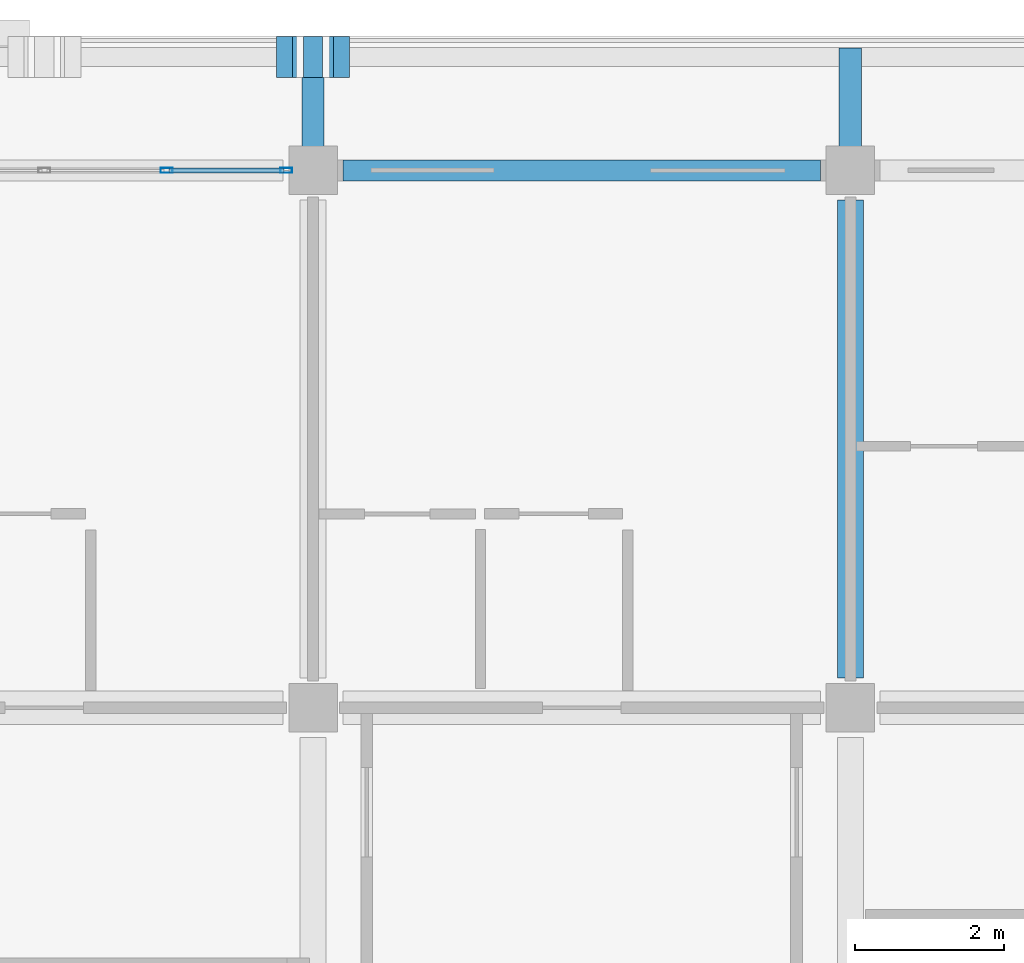
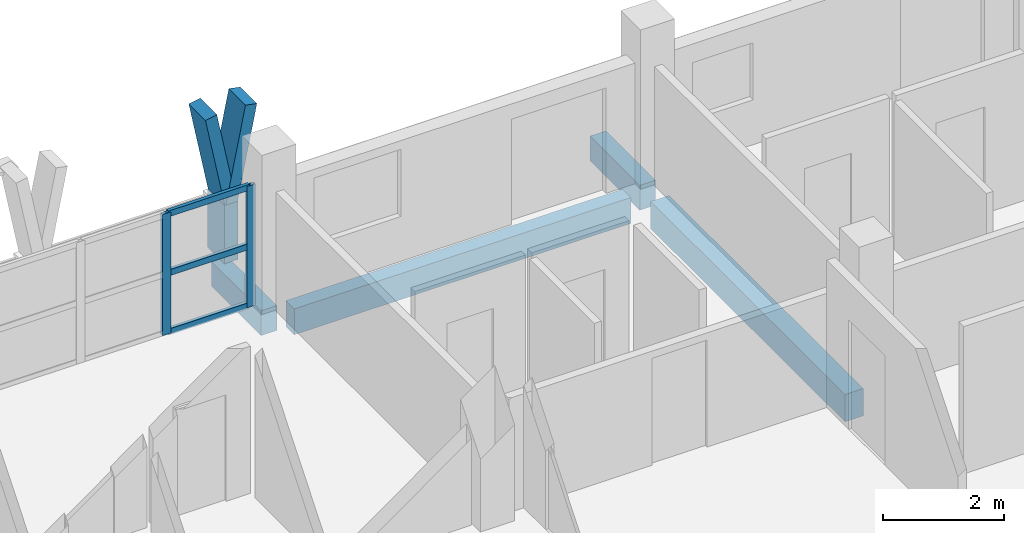
# One storey, part 73 of 157: 8 members, 4 beams, 1 element without a shape of its own.
"""IFC4 building model written with IfcOpenShell, lengths in metres."""

from ifc_helpers import new_model, si_unit, direction, frame, origin, origin_2d, place, context, subcontext, project, spatial, rectangle, hollow_rectangle, extrude, material, material_profile, profile_set, type_object, element, aggregate, save


model = new_model("IFC4")

# Units and contexts
model_context = context("Model", 3, precision=1e-05, world=origin(), true_north=direction((0.0, 1.0)))
body_context = subcontext(model_context, "Body", "Model", "MODEL_VIEW")
ifc_project = project(units=[si_unit("LENGTHUNIT", "METRE"), si_unit("AREAUNIT", "SQUARE_METRE"), si_unit("VOLUMEUNIT", "CUBIC_METRE"), si_unit("PLANEANGLEUNIT", "RADIAN"), si_unit("MASSUNIT", "GRAM", prefix="KILO")], contexts=[model_context])

# Site, building, storey
site_placement = place(None, origin())
site = spatial("IfcSite", under=ifc_project, at=site_placement, CompositionType="ELEMENT")
building_placement = place(site_placement, origin())
building = spatial("IfcBuilding", under=site, at=building_placement, Name="Suanplinth Sawtooth Commons", CompositionType="ELEMENT")
storey_placement = place(building_placement, frame((0.0, 0.0, 9.0)))
storey = spatial("IfcBuildingStorey", under=building, at=storey_placement, Name="L02", CompositionType="ELEMENT", Elevation=9.0)

# Beams
ifc_material_1 = material(Name="Precast concrete C40/50", Category="concrete")
ifc_material_profile_1 = material_profile(ifc_material_1, rectangle(XDim=0.35009765625, YDim=0.550048828125, at=origin_2d()), Name="PC-BM 350x550")
ifc_profile_set_1 = profile_set([ifc_material_profile_1], Name="Precast concrete C40/50")
beam_type_1 = type_object("IfcBeamType", Name="B-06", PredefinedType="BEAM", material=ifc_profile_set_1)
beam_1_placement = place(storey_placement, frame((72.0, 115.60009765625, -0.52490234375), z_axis=(0.0, 1.0, 0.0), x_axis=(-1.0, 0.0, 0.0)))
element("IfcBeam", 1, at=beam_1_placement, inside=storey, type_object=beam_type_1, Name="BMY-L02-A-10-16", PredefinedType="BEAM", context=body_context, shape_type="SweptSolid", body=[
    extrude(rectangle(XDim=0.35009765625, YDim=0.550048828125, at=origin_2d()), origin(), (0.0, 0.0, 1.0), 6.39990234375),
])
ifc_material_profile_2 = material_profile(ifc_material_1, rectangle(XDim=0.300048828125, YDim=0.5, at=origin_2d()), Name="PC-BM 300x500")
ifc_profile_set_2 = profile_set([ifc_material_profile_2], Name="Precast concrete C40/50")
beam_type_2 = type_object("IfcBeamType", Name="B-07", PredefinedType="BEAM", material=ifc_profile_set_2)
for number, where, z_axis, x_axis, name in (
    (2, (64.800048828125, 122.39990234375, -0.429931640625), (0.0, 1.0, 0.0), (-1.0, 0.0, 0.0), "Balcony Outrigger L02-A-N-9"),
    (3, (72.0, 122.39990234375, -0.429931640625), (0.0, 1.0, 0.0), (-1.0, 0.0, 0.0), "Balcony Outrigger L02-A-N-10"),
):
    element("IfcBeam", number, at=place(storey_placement, frame(where, z_axis=z_axis, x_axis=x_axis)), inside=storey, type_object=beam_type_2, Name=name, PredefinedType="BEAM", context=body_context, shape_type="SweptSolid", body=[
        extrude(rectangle(XDim=0.300048828125, YDim=0.5, at=origin_2d()), origin(), (0.0, 0.0, 1.0), 1.64013671875),
    ])
ifc_material_profile_3 = material_profile(ifc_material_1, rectangle(XDim=0.280029296875, YDim=0.52001953125, at=origin_2d()), Name="PC-SP 280x520")
ifc_profile_set_3 = profile_set([ifc_material_profile_3], Name="Precast concrete C40/50")
beam_type_3 = type_object("IfcBeamType", Name="B-08", PredefinedType="SPANDREL", material=ifc_profile_set_3)
beam_2_placement = place(storey_placement, frame((65.199951171875, 122.39990234375, -0.510009765625), z_axis=(1.0, 0.0, 0.0), x_axis=(0.0, 1.0, 0.0)))
element("IfcBeam", 4, at=beam_2_placement, inside=storey, type_object=beam_type_3, Name="BMX-L02-A-9-17", PredefinedType="SPANDREL", context=body_context, shape_type="SweptSolid", body=[
    extrude(rectangle(XDim=0.280029296875, YDim=0.52001953125, at=origin_2d()), origin(), (0.0, 0.0, 1.0), 6.400146484375),
])

# Members
ifc_material_2 = material(Name="Pigmented precast concrete C40/50", Category="concrete")
ifc_material_profile_4 = material_profile(ifc_material_2, rectangle(XDim=0.260009765625, YDim=0.550048828125, at=origin_2d()), Name="PC-FIN 260x550")
ifc_profile_set_4 = profile_set([ifc_material_profile_4], Name="Pigmented precast concrete C40/50")
member_type_1 = type_object("IfcMemberType", Name="M-09", PredefinedType="USERDEFINED", material=ifc_profile_set_4)
member_1_placement = place(storey_placement, frame((64.800048828125, 123.919921875, 0.0), z_axis=(0.0, 0.0, 1.0), x_axis=(1.0, 0.0, 0.0)))
element("IfcMember", 5, at=member_1_placement, inside=storey, type_object=member_type_1, Name="Y-Blade Stem L02-A-N-07", ObjectType="SHADING FIN", PredefinedType="USERDEFINED", context=body_context, shape_type="SweptSolid", body=[
    extrude(rectangle(XDim=0.260009765625, YDim=0.550048828125, at=origin_2d()), origin(), (0.0, 0.0, 1.0), 1.169921875),
])
ifc_material_profile_5 = material_profile(ifc_material_2, rectangle(XDim=0.219970703125, YDim=0.550048828125, at=origin_2d()), Name="PC-FIN 220x550")
ifc_profile_set_5 = profile_set([ifc_material_profile_5], Name="Pigmented precast concrete C40/50")
member_type_2 = type_object("IfcMemberType", Name="M-10", PredefinedType="USERDEFINED", material=ifc_profile_set_5)
member_2_placement = place(storey_placement, frame((64.800048828125, 123.919921875, 1.1298828125), z_axis=(-0.196406855569, 0.0, 0.980522486782), x_axis=(0.980522486782, 0.0, 0.196406855569)))
element("IfcMember", 6, at=member_2_placement, inside=storey, type_object=member_type_2, Name="Y-Blade Arm L L02-A-N-07", ObjectType="SHADING FIN", PredefinedType="USERDEFINED", context=body_context, shape_type="SweptSolid", body=[
    extrude(rectangle(XDim=0.219970703125, YDim=0.550048828125, at=origin_2d()), origin(), (0.0, 0.0, 1.0), 1.93798828125),
])
member_3_placement = place(storey_placement, frame((64.800048828125, 123.919921875, 1.1298828125), z_axis=(0.196285728346, 0.0, 0.980546741796), x_axis=(-0.980546741796, 0.0, 0.196285728346)))
element("IfcMember", 7, at=member_3_placement, inside=storey, type_object=member_type_2, Name="Y-Blade Arm R L02-A-N-07", ObjectType="SHADING FIN", PredefinedType="USERDEFINED", context=body_context, shape_type="SweptSolid", body=[
    extrude(rectangle(XDim=0.219970703125, YDim=0.550048828125, at=origin_2d()), origin(), (0.0, 0.0, 1.0), 1.937744140625),
])

# Curtain wall, members
ifc_material_3 = material(Name="Anodized aluminium and low-E glazing", Category="aluminium")
curtain_wall_type = type_object("IfcCurtainWallType", Name="CW-06", PredefinedType="USERDEFINED", material=ifc_material_3)
curtain_wall_placement = place(storey_placement, origin())
curtain_wall = element("IfcCurtainWall", 8, at=curtain_wall_placement, inside=storey, type_object=curtain_wall_type, Name="Curtain Wall CW-L02-A-LOUNGE-8", ObjectType="CURTAIN WALL", PredefinedType="USERDEFINED")
ifc_material_4 = material(Name="Anodized aluminium 6063-T6", Category="aluminium")
ifc_material_profile_6 = material_profile(ifc_material_4, hollow_rectangle(XDim=0.06494140625, YDim=0.159912109375, WallThickness=0.00390625, at=origin_2d()), Name="ALU-MUL 65x160")
ifc_profile_set_6 = profile_set([ifc_material_profile_6], Name="Anodized aluminium 6063-T6")
member_type_3 = type_object("IfcMemberType", Name="M-13", PredefinedType="MULLION", material=ifc_profile_set_6)
member_4_placement = place(storey_placement, frame((62.83740234375, 122.39990234375, 0.0), z_axis=(0.0, 0.0, 1.0), x_axis=(0.0, 1.0, 0.0)))
member_4 = element("IfcMember", 9, at=member_4_placement, type_object=member_type_3, Name="CW-06 mullion 4", PredefinedType="MULLION", context=body_context, shape_type="SweptSolid", body=[
    extrude(hollow_rectangle(XDim=0.06494140625, YDim=0.159912109375, WallThickness=0.00390625, at=origin_2d()), origin(), (0.0, 0.0, 1.0), 2.43994140625),
])
member_5_placement = place(storey_placement, frame((64.4423828125, 122.39990234375, 0.0), z_axis=(0.0, 0.0, 1.0), x_axis=(0.0, 1.0, 0.0)))
member_5 = element("IfcMember", 10, at=member_5_placement, type_object=member_type_3, Name="CW-06 mullion 5", PredefinedType="MULLION", context=body_context, shape_type="SweptSolid", body=[
    extrude(hollow_rectangle(XDim=0.06494140625, YDim=0.159912109375, WallThickness=0.00390625, at=origin_2d()), origin(), (0.0, 0.0, 1.0), 2.43994140625),
])
ifc_material_profile_7 = material_profile(ifc_material_4, hollow_rectangle(XDim=0.06494140625, YDim=0.1201171875, WallThickness=0.00390625, at=origin_2d()), Name="ALU-TRN 65x120")
ifc_profile_set_7 = profile_set([ifc_material_profile_7], Name="Anodized aluminium 6063-T6")
member_type_4 = type_object("IfcMemberType", Name="M-15", PredefinedType="USERDEFINED", material=ifc_profile_set_7)
member_6_placement = place(storey_placement, frame((62.8701171875, 122.39990234375, 0.032470703125), z_axis=(1.0, 0.0, 0.0), x_axis=(0.0, 1.0, 0.0)))
member_6 = element("IfcMember", 11, at=member_6_placement, type_object=member_type_4, Name="CW-06 transom 4.1", ObjectType="TRANSOM", PredefinedType="USERDEFINED", context=body_context, shape_type="SweptSolid", body=[
    extrude(hollow_rectangle(XDim=0.06494140625, YDim=0.1201171875, WallThickness=0.00390625, at=origin_2d()), origin(), (0.0, 0.0, 1.0), 1.539794921875),
])
member_7_placement = place(storey_placement, frame((62.8701171875, 122.39990234375, 1.219970703125), z_axis=(1.0, 0.0, 0.0), x_axis=(0.0, 1.0, 0.0)))
member_7 = element("IfcMember", 12, at=member_7_placement, type_object=member_type_4, Name="CW-06 transom 4.2", ObjectType="TRANSOM", PredefinedType="USERDEFINED", context=body_context, shape_type="SweptSolid", body=[
    extrude(hollow_rectangle(XDim=0.06494140625, YDim=0.1201171875, WallThickness=0.00390625, at=origin_2d()), origin(), (0.0, 0.0, 1.0), 1.539794921875),
])
member_8_placement = place(storey_placement, frame((62.8701171875, 122.39990234375, 2.407470703125), z_axis=(1.0, 0.0, 0.0), x_axis=(0.0, 1.0, 0.0)))
member_8 = element("IfcMember", 13, at=member_8_placement, type_object=member_type_4, Name="CW-06 transom 4.3", ObjectType="TRANSOM", PredefinedType="USERDEFINED", context=body_context, shape_type="SweptSolid", body=[
    extrude(hollow_rectangle(XDim=0.06494140625, YDim=0.1201171875, WallThickness=0.00390625, at=origin_2d()), origin(), (0.0, 0.0, 1.0), 1.539794921875),
])
aggregate(curtain_wall, [member_4, member_5, member_6, member_7, member_8])

save(model, "model.ifc")
